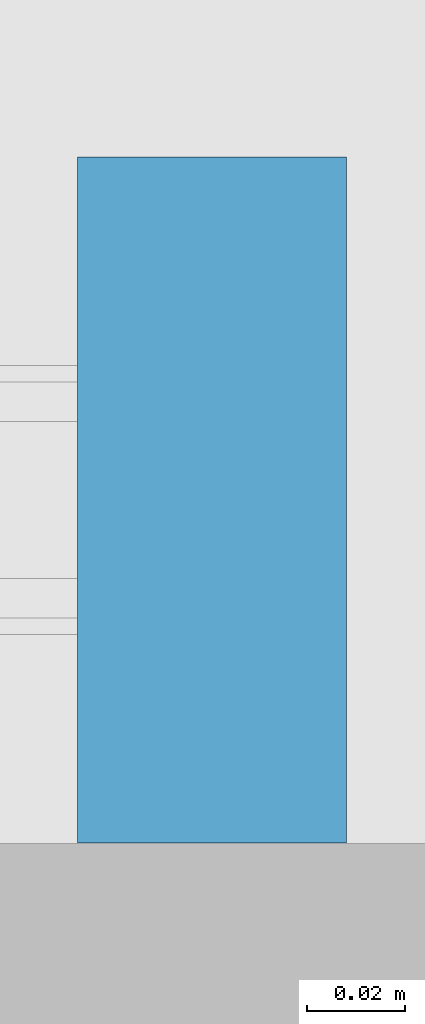
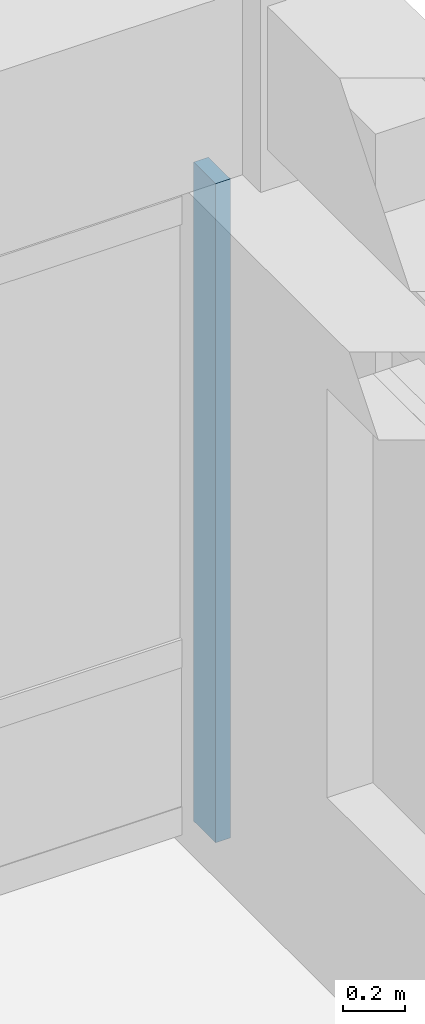
# One storey, part 32 of 74: 1 member, 1 element without a shape of its own.
"""IFC4 building model written with IfcOpenShell, lengths in metres."""

from ifc_helpers import new_model, si_unit, direction, frame, origin, origin_2d, place, context, subcontext, project, spatial, rectangle, extrude, material, material_profile, profile_set, type_object, element, aggregate, save


model = new_model("IFC4")

# Units and contexts
model_context = context("Model", 3, precision=1e-05, world=origin(), true_north=direction((0.0, 1.0)))
body_context = subcontext(model_context, "Body", "Model", "MODEL_VIEW")
ifc_project = project(units=[si_unit("LENGTHUNIT", "METRE"), si_unit("AREAUNIT", "SQUARE_METRE"), si_unit("VOLUMEUNIT", "CUBIC_METRE"), si_unit("PLANEANGLEUNIT", "RADIAN"), si_unit("MASSUNIT", "GRAM", prefix="KILO")], contexts=[model_context])

# Site, building, storey
site_placement = place(None, origin())
site = spatial("IfcSite", under=ifc_project, at=site_placement, CompositionType="ELEMENT")
building_placement = place(site_placement, origin())
building = spatial("IfcBuilding", under=site, at=building_placement, Name="Clarverna Civic Hall", CompositionType="ELEMENT")
storey_placement = place(building_placement, frame((0.0, 0.0, 13.199951171875)))
storey = spatial("IfcBuildingStorey", under=building, at=storey_placement, Name="L03", CompositionType="ELEMENT", Elevation=13.199951171875)

# Curtain wall, member
ifc_material = material(Name="Anodised Bronze Architectural Aluminium", Category="aluminium")
curtain_wall_type = type_object("IfcCurtainWallType", Name="CW-05", PredefinedType="USERDEFINED", material=ifc_material)
curtain_wall_placement = place(storey_placement, origin())
curtain_wall = element("IfcCurtainWall", 1, at=curtain_wall_placement, inside=storey, type_object=curtain_wall_type, Name="CW-05-008", ObjectType="UNITISED CURTAIN WALL", PredefinedType="USERDEFINED")
ifc_material_profile = material_profile(ifc_material, rectangle(XDim=0.054931640625, YDim=0.139892578125, at=origin_2d()), Name="BRONZE 55x140")
ifc_profile_set = profile_set([ifc_material_profile], Name="Anodised Bronze Architectural Aluminium")
member_type = type_object("IfcMemberType", Name="CWM-04", PredefinedType="MULLION", material=ifc_profile_set)
member_placement = place(storey_placement, frame((66.302001953125, 115.860107421875, 0.0), z_axis=(0.0, 0.0, 1.0), x_axis=(1.0, 0.0, 0.0)))
member = element("IfcMember", 2, at=member_placement, type_object=member_type, Name="CWM-04-179", PredefinedType="MULLION", context=body_context, shape_type="SweptSolid", body=[
    extrude(rectangle(XDim=0.054931640625, YDim=0.139892578125, at=origin_2d()), origin(), (0.0, 0.0, 1.0), 2.580078125),
])
aggregate(curtain_wall, [member])

save(model, "model.ifc")
